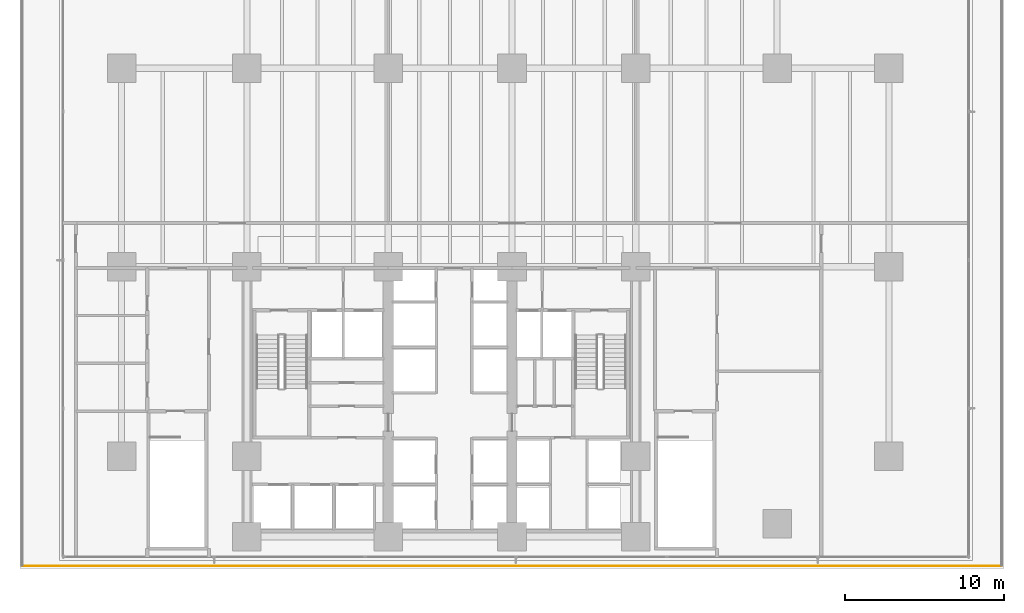
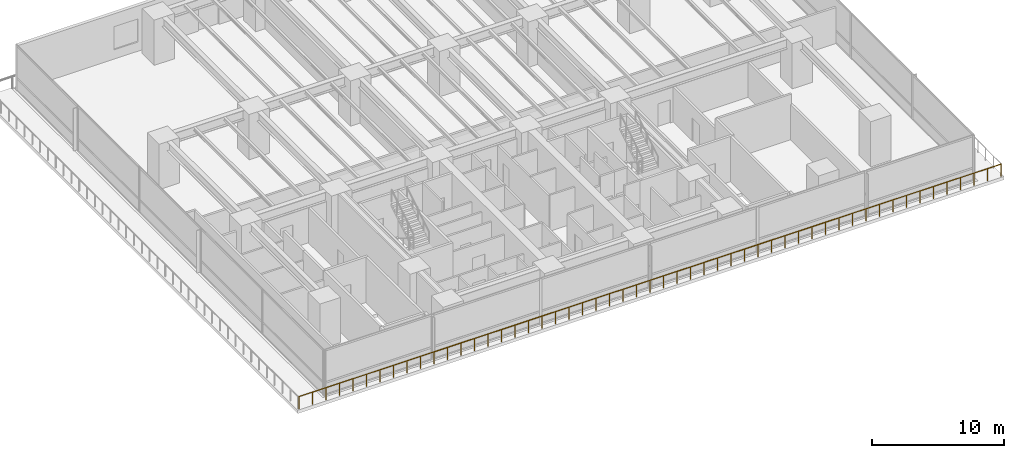
# One storey, part 15 of 21: 1 railing.
"""IFC4 building model written with IfcOpenShell, lengths in metres."""

from ifc_helpers import new_model, si_unit, direction, frame, origin, origin_2d, place, context, subcontext, project, spatial, circle, extrude, material, type_object, element, save


model = new_model("IFC4")

# Units and contexts
model_context = context("Model", 3, precision=1e-05, world=origin(), true_north=direction((0.0, 1.0)))
body_context = subcontext(model_context, "Body", "Model", "MODEL_VIEW")
ifc_project = project(units=[si_unit("LENGTHUNIT", "METRE"), si_unit("AREAUNIT", "SQUARE_METRE"), si_unit("VOLUMEUNIT", "CUBIC_METRE"), si_unit("PLANEANGLEUNIT", "RADIAN"), si_unit("MASSUNIT", "GRAM", prefix="KILO")], contexts=[model_context])

# Site, building, storey
site_placement = place(None, origin())
site = spatial("IfcSite", under=ifc_project, at=site_placement, CompositionType="ELEMENT")
building_placement = place(site_placement, origin())
building = spatial("IfcBuilding", under=site, at=building_placement, Name="Qalmaran Belvedere Hotel", CompositionType="ELEMENT")
storey_placement = place(building_placement, frame((0.0, 0.0, 23.800048828125)))
storey = spatial("IfcBuildingStorey", under=building, at=storey_placement, Name="L05", CompositionType="ELEMENT", Elevation=23.800048828125)

# Railing
ifc_material = material(Name="Anodised Bronze Aluminium", Category="aluminium")
railing_type = type_object("IfcRailingType", Name="GRD-TERR-1150", PredefinedType="BALUSTRADE", material=ifc_material)
railing_placement = place(storey_placement, frame((6.175048828125, 1.639892578125, 0.0)))
element("IfcRailing", 1, at=railing_placement, inside=storey, type_object=railing_type, Name="L05 Guardrail L05-TERR-1", PredefinedType="BALUSTRADE", context=body_context, shape_type="SweptSolid", body=[
    extrude(circle(Radius=0.02392578125, at=origin_2d()), frame((0.0, 0.0, 1.1259765625), z_axis=(1.0, 0.0, 0.0), x_axis=(0.0, 1.0, 0.0)), (0.0, 0.0, 1.0), 61.64990234375),
    extrude(circle(Radius=0.02099609375, at=origin_2d()), origin(), (0.0, 0.0, 1.0), 1.101806640625),
    extrude(circle(Radius=0.02099609375, at=origin_2d()), frame((1.185546875, 0.0, 0.0)), (0.0, 0.0, 1.0), 1.101806640625),
    extrude(circle(Radius=0.02099609375, at=origin_2d()), frame((2.37109375, 0.0, 0.0)), (0.0, 0.0, 1.0), 1.101806640625),
    extrude(circle(Radius=0.02099609375, at=origin_2d()), frame((3.556640625, 0.0, 0.0)), (0.0, 0.0, 1.0), 1.101806640625),
    extrude(circle(Radius=0.02099609375, at=origin_2d()), frame((4.7421875, 0.0, 0.0)), (0.0, 0.0, 1.0), 1.101806640625),
    extrude(circle(Radius=0.02099609375, at=origin_2d()), frame((5.927978515625, 0.0, 0.0)), (0.0, 0.0, 1.0), 1.101806640625),
    extrude(circle(Radius=0.02099609375, at=origin_2d()), frame((7.113525390625, 0.0, 0.0)), (0.0, 0.0, 1.0), 1.101806640625),
    extrude(circle(Radius=0.02099609375, at=origin_2d()), frame((8.299072265625, 0.0, 0.0)), (0.0, 0.0, 1.0), 1.101806640625),
    extrude(circle(Radius=0.02099609375, at=origin_2d()), frame((9.484619140625, 0.0, 0.0)), (0.0, 0.0, 1.0), 1.101806640625),
    extrude(circle(Radius=0.02099609375, at=origin_2d()), frame((10.670166015625, 0.0, 0.0)), (0.0, 0.0, 1.0), 1.101806640625),
    extrude(circle(Radius=0.02099609375, at=origin_2d()), frame((11.855712890625, 0.0, 0.0)), (0.0, 0.0, 1.0), 1.101806640625),
    extrude(circle(Radius=0.02099609375, at=origin_2d()), frame((13.041259765625, 0.0, 0.0)), (0.0, 0.0, 1.0), 1.101806640625),
    extrude(circle(Radius=0.02099609375, at=origin_2d()), frame((14.226806640625, 0.0, 0.0)), (0.0, 0.0, 1.0), 1.101806640625),
    extrude(circle(Radius=0.02099609375, at=origin_2d()), frame((15.41259765625, 0.0, 0.0)), (0.0, 0.0, 1.0), 1.101806640625),
    extrude(circle(Radius=0.02099609375, at=origin_2d()), frame((16.59814453125, 0.0, 0.0)), (0.0, 0.0, 1.0), 1.101806640625),
    extrude(circle(Radius=0.02099609375, at=origin_2d()), frame((17.78369140625, 0.0, 0.0)), (0.0, 0.0, 1.0), 1.101806640625),
    extrude(circle(Radius=0.02099609375, at=origin_2d()), frame((18.96923828125, 0.0, 0.0)), (0.0, 0.0, 1.0), 1.101806640625),
    extrude(circle(Radius=0.02099609375, at=origin_2d()), frame((20.15478515625, 0.0, 0.0)), (0.0, 0.0, 1.0), 1.101806640625),
    extrude(circle(Radius=0.02099609375, at=origin_2d()), frame((21.34033203125, 0.0, 0.0)), (0.0, 0.0, 1.0), 1.101806640625),
    extrude(circle(Radius=0.02099609375, at=origin_2d()), frame((22.52587890625, 0.0, 0.0)), (0.0, 0.0, 1.0), 1.101806640625),
    extrude(circle(Radius=0.02099609375, at=origin_2d()), frame((23.71142578125, 0.0, 0.0)), (0.0, 0.0, 1.0), 1.101806640625),
    extrude(circle(Radius=0.02099609375, at=origin_2d()), frame((24.89697265625, 0.0, 0.0)), (0.0, 0.0, 1.0), 1.101806640625),
    extrude(circle(Radius=0.02099609375, at=origin_2d()), frame((26.082763671875, 0.0, 0.0)), (0.0, 0.0, 1.0), 1.101806640625),
    extrude(circle(Radius=0.02099609375, at=origin_2d()), frame((27.268310546875, 0.0, 0.0)), (0.0, 0.0, 1.0), 1.101806640625),
    extrude(circle(Radius=0.02099609375, at=origin_2d()), frame((28.453857421875, 0.0, 0.0)), (0.0, 0.0, 1.0), 1.101806640625),
    extrude(circle(Radius=0.02099609375, at=origin_2d()), frame((29.639404296875, 0.0, 0.0)), (0.0, 0.0, 1.0), 1.101806640625),
    extrude(circle(Radius=0.02099609375, at=origin_2d()), frame((30.824951171875, 0.0, 0.0)), (0.0, 0.0, 1.0), 1.101806640625),
    extrude(circle(Radius=0.02099609375, at=origin_2d()), frame((32.010498046875, 0.0, 0.0)), (0.0, 0.0, 1.0), 1.101806640625),
    extrude(circle(Radius=0.02099609375, at=origin_2d()), frame((33.196044921875, 0.0, 0.0)), (0.0, 0.0, 1.0), 1.101806640625),
    extrude(circle(Radius=0.02099609375, at=origin_2d()), frame((34.381591796875, 0.0, 0.0)), (0.0, 0.0, 1.0), 1.101806640625),
    extrude(circle(Radius=0.02099609375, at=origin_2d()), frame((35.567138671875, 0.0, 0.0)), (0.0, 0.0, 1.0), 1.101806640625),
    extrude(circle(Radius=0.02099609375, at=origin_2d()), frame((36.7529296875, 0.0, 0.0)), (0.0, 0.0, 1.0), 1.101806640625),
    extrude(circle(Radius=0.02099609375, at=origin_2d()), frame((37.9384765625, 0.0, 0.0)), (0.0, 0.0, 1.0), 1.101806640625),
    extrude(circle(Radius=0.02099609375, at=origin_2d()), frame((39.1240234375, 0.0, 0.0)), (0.0, 0.0, 1.0), 1.101806640625),
    extrude(circle(Radius=0.02099609375, at=origin_2d()), frame((40.3095703125, 0.0, 0.0)), (0.0, 0.0, 1.0), 1.101806640625),
    extrude(circle(Radius=0.02099609375, at=origin_2d()), frame((41.4951171875, 0.0, 0.0)), (0.0, 0.0, 1.0), 1.101806640625),
    extrude(circle(Radius=0.02099609375, at=origin_2d()), frame((42.6806640625, 0.0, 0.0)), (0.0, 0.0, 1.0), 1.101806640625),
    extrude(circle(Radius=0.02099609375, at=origin_2d()), frame((43.8662109375, 0.0, 0.0)), (0.0, 0.0, 1.0), 1.101806640625),
    extrude(circle(Radius=0.02099609375, at=origin_2d()), frame((45.0517578125, 0.0, 0.0)), (0.0, 0.0, 1.0), 1.101806640625),
    extrude(circle(Radius=0.02099609375, at=origin_2d()), frame((46.2373046875, 0.0, 0.0)), (0.0, 0.0, 1.0), 1.101806640625),
    extrude(circle(Radius=0.02099609375, at=origin_2d()), frame((47.423095703125, 0.0, 0.0)), (0.0, 0.0, 1.0), 1.101806640625),
    extrude(circle(Radius=0.02099609375, at=origin_2d()), frame((48.608642578125, 0.0, 0.0)), (0.0, 0.0, 1.0), 1.101806640625),
    extrude(circle(Radius=0.02099609375, at=origin_2d()), frame((49.794189453125, 0.0, 0.0)), (0.0, 0.0, 1.0), 1.101806640625),
    extrude(circle(Radius=0.02099609375, at=origin_2d()), frame((50.979736328125, 0.0, 0.0)), (0.0, 0.0, 1.0), 1.101806640625),
    extrude(circle(Radius=0.02099609375, at=origin_2d()), frame((52.165283203125, 0.0, 0.0)), (0.0, 0.0, 1.0), 1.101806640625),
    extrude(circle(Radius=0.02099609375, at=origin_2d()), frame((53.350830078125, 0.0, 0.0)), (0.0, 0.0, 1.0), 1.101806640625),
    extrude(circle(Radius=0.02099609375, at=origin_2d()), frame((54.536376953125, 0.0, 0.0)), (0.0, 0.0, 1.0), 1.101806640625),
    extrude(circle(Radius=0.02099609375, at=origin_2d()), frame((55.721923828125, 0.0, 0.0)), (0.0, 0.0, 1.0), 1.101806640625),
    extrude(circle(Radius=0.02099609375, at=origin_2d()), frame((56.90771484375, 0.0, 0.0)), (0.0, 0.0, 1.0), 1.101806640625),
    extrude(circle(Radius=0.02099609375, at=origin_2d()), frame((58.09326171875, 0.0, 0.0)), (0.0, 0.0, 1.0), 1.101806640625),
    extrude(circle(Radius=0.02099609375, at=origin_2d()), frame((59.27880859375, 0.0, 0.0)), (0.0, 0.0, 1.0), 1.101806640625),
    extrude(circle(Radius=0.02099609375, at=origin_2d()), frame((60.46435546875, 0.0, 0.0)), (0.0, 0.0, 1.0), 1.101806640625),
    extrude(circle(Radius=0.02099609375, at=origin_2d()), frame((61.64990234375, 0.0, 0.0)), (0.0, 0.0, 1.0), 1.101806640625),
])

save(model, "model.ifc")
